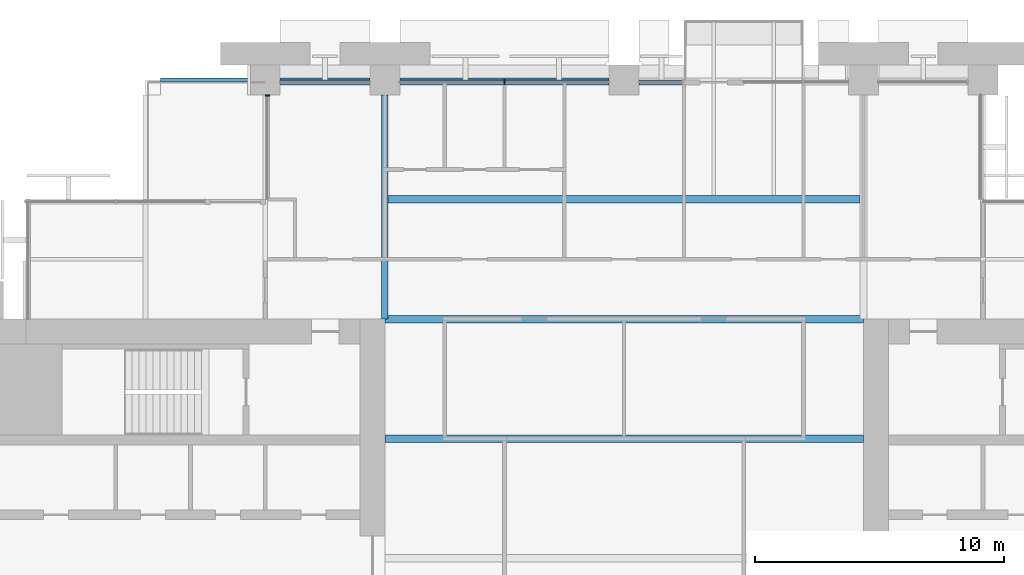
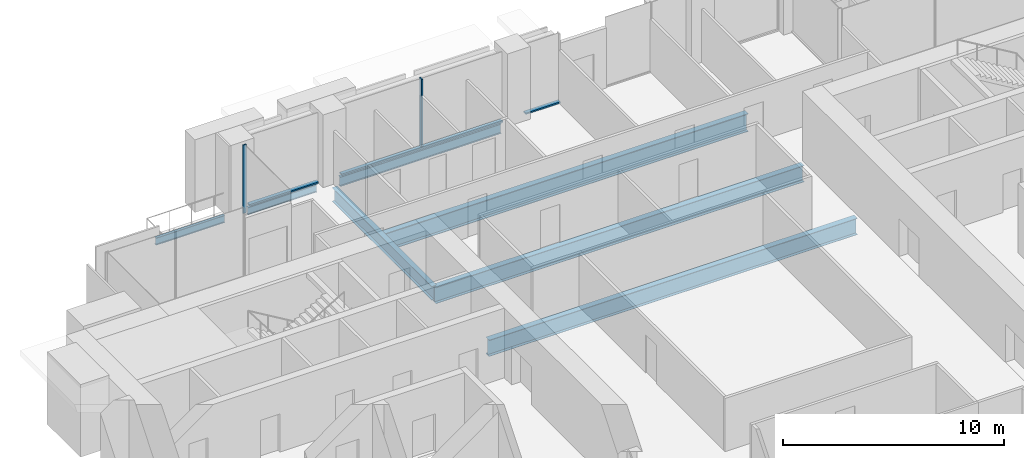
# One storey, part 6 of 15: 7 beams, 5 members, 2 elements without a shape of their own.
"""IFC4 building model written with IfcOpenShell, lengths in metres."""

from ifc_helpers import new_model, si_unit, direction, frame, origin, origin_2d, place, context, subcontext, project, spatial, rectangle, i_section, extrude, material, material_profile, profile_set, type_object, element, aggregate, save


model = new_model("IFC4")

# Units and contexts
model_context = context("Model", 3, precision=1e-05, world=origin(), true_north=direction((0.0, 1.0)))
body_context = subcontext(model_context, "Body", "Model", "MODEL_VIEW")
ifc_project = project(units=[si_unit("LENGTHUNIT", "METRE"), si_unit("AREAUNIT", "SQUARE_METRE"), si_unit("VOLUMEUNIT", "CUBIC_METRE"), si_unit("PLANEANGLEUNIT", "RADIAN"), si_unit("MASSUNIT", "GRAM", prefix="KILO")], contexts=[model_context])

# Site, building, storey
site_placement = place(None, origin())
site = spatial("IfcSite", under=ifc_project, at=site_placement, CompositionType="ELEMENT")
building_placement = place(site_placement, origin())
building = spatial("IfcBuilding", under=site, at=building_placement, Name="Baori Bourse Tower", CompositionType="ELEMENT")
storey_placement = place(building_placement, frame((0.0, 0.0, 116.10009765625)))
storey = spatial("IfcBuildingStorey", under=building, at=storey_placement, Name="L24", CompositionType="ELEMENT", Elevation=116.10009765625)

# Curtain wall, members
ifc_material_1 = material(Name="Pale anodised aluminium", Category="aluminium")
curtain_wall_type_1 = type_object("IfcCurtainWallType", Name="CW1 Curtain wall", PredefinedType="NOTDEFINED", material=ifc_material_1)
curtain_wall_1_placement = place(storey_placement, origin())
curtain_wall_1 = element("IfcCurtainWall", 1, at=curtain_wall_1_placement, inside=storey, type_object=curtain_wall_type_1, Name="Curtain wall CW1 L24 6", PredefinedType="NOTDEFINED")
ifc_material_2 = material(Name="Pale anodised aluminium", Category="aluminium")
ifc_material_profile_1 = material_profile(ifc_material_2, rectangle(XDim=0.199951171875, YDim=0.06005859375, at=origin_2d()), Name="Mullion 60x200")
ifc_profile_set_1 = profile_set([ifc_material_profile_1], Name="Pale anodised aluminium")
member_type_1 = type_object("IfcMemberType", Name="CW1 Curtain wall mullion", PredefinedType="MULLION", material=ifc_profile_set_1)
member_1_placement = place(storey_placement, frame((24.0, 47.89990234375, 0.079833984375), z_axis=(0.0, 0.0, 1.0), x_axis=(0.0, -1.0, 0.0)))
member_1 = element("IfcMember", 2, at=member_1_placement, type_object=member_type_1, Name="Curtain wall CW1 mullion", PredefinedType="MULLION", context=body_context, shape_type="SweptSolid", body=[
    extrude(rectangle(XDim=0.199951171875, YDim=0.06005859375, at=origin_2d()), origin(), (0.0, 0.0, 1.0), 3.760009765625),
])
ifc_material_3 = material(Name="Pale anodised aluminium", Category="aluminium")
ifc_material_profile_2 = material_profile(ifc_material_3, rectangle(XDim=0.199951171875, YDim=0.080078125, at=origin_2d()), Name="Transom 80x200")
ifc_profile_set_2 = profile_set([ifc_material_profile_2], Name="Pale anodised aluminium")
member_type_2 = type_object("IfcMemberType", Name="CW1 Curtain wall transom", PredefinedType="USERDEFINED", material=ifc_profile_set_2)
member_2_placement = place(storey_placement, frame((31.199951171875, 47.89990234375, 0.039794921875), z_axis=(-1.0, 0.0, 0.0), x_axis=(0.0, -1.0, 0.0)))
member_2 = element("IfcMember", 3, at=member_2_placement, type_object=member_type_2, Name="Curtain wall CW1 sill rail", ObjectType="TRANSOM", PredefinedType="USERDEFINED", context=body_context, shape_type="SweptSolid", body=[
    extrude(rectangle(XDim=0.199951171875, YDim=0.080078125, at=origin_2d()), origin(), (0.0, 0.0, 1.0), 1.800048828125),
])
member_3_placement = place(storey_placement, frame((28.199951171875, 47.89990234375, 0.039794921875), z_axis=(-1.0, 0.0, 0.0), x_axis=(0.0, -1.0, 0.0)))
member_3 = element("IfcMember", 4, at=member_3_placement, type_object=member_type_2, Name="Curtain wall CW1 sill rail", ObjectType="TRANSOM", PredefinedType="USERDEFINED", context=body_context, shape_type="SweptSolid", body=[
    extrude(rectangle(XDim=0.199951171875, YDim=0.080078125, at=origin_2d()), origin(), (0.0, 0.0, 1.0), 8.39990234375),
])
member_4_placement = place(storey_placement, frame((18.60009765625, 47.89990234375, 0.039794921875), z_axis=(-1.0, 0.0, 0.0), x_axis=(0.0, -1.0, 0.0)))
member_4 = element("IfcMember", 5, at=member_4_placement, type_object=member_type_2, Name="Curtain wall CW1 sill rail", ObjectType="TRANSOM", PredefinedType="USERDEFINED", context=body_context, shape_type="SweptSolid", body=[
    extrude(rectangle(XDim=0.199951171875, YDim=0.080078125, at=origin_2d()), origin(), (0.0, 0.0, 1.0), 3.60009765625),
])
aggregate(curtain_wall_1, [member_2, member_3, member_1, member_4])

# Curtain wall, member
ifc_material_4 = material(Name="Pale anodised aluminium", Category="aluminium")
curtain_wall_type_2 = type_object("IfcCurtainWallType", Name="CW2 Curtain wall", PredefinedType="NOTDEFINED", material=ifc_material_4)
curtain_wall_2_placement = place(storey_placement, origin())
curtain_wall_2 = element("IfcCurtainWall", 6, at=curtain_wall_2_placement, inside=storey, type_object=curtain_wall_type_2, Name="Curtain wall CW2 L24 7", PredefinedType="NOTDEFINED")
ifc_material_5 = material(Name="Pale anodised aluminium", Category="aluminium")
ifc_material_profile_3 = material_profile(ifc_material_5, rectangle(XDim=0.179931640625, YDim=0.054931640625, at=origin_2d()), Name="Mullion 55x180")
ifc_profile_set_3 = profile_set([ifc_material_profile_3], Name="Pale anodised aluminium")
member_type_3 = type_object("IfcMemberType", Name="CW2 Curtain wall mullion", PredefinedType="MULLION", material=ifc_profile_set_3)
member_5_placement = place(storey_placement, frame((14.489990234375, 47.37255859375, 0.06982421875), z_axis=(0.0, 0.0, 1.0), x_axis=(1.0, 0.0, 0.0)))
member_5 = element("IfcMember", 7, at=member_5_placement, type_object=member_type_3, Name="Curtain wall CW2 mullion", PredefinedType="MULLION", context=body_context, shape_type="SweptSolid", body=[
    extrude(rectangle(XDim=0.179931640625, YDim=0.054931640625, at=origin_2d()), origin(), (0.0, 0.0, 1.0), 3.77001953125),
])
aggregate(curtain_wall_2, [member_5])

# Beams
ifc_material_6 = material(Name="Steel A992 Gr 50", Category="steel")
ifc_material_profile_4 = material_profile(ifc_material_6, i_section(OverallWidth=0.140380859375, OverallDepth=0.40380859375, WebThickness=0.007080078125, FlangeThickness=0.01123046875, at=origin_2d()), Name="W16x31")
ifc_profile_set_4 = profile_set([ifc_material_profile_4], Name="Steel A992 Gr 50")
beam_type_1 = type_object("IfcBeamType", Name="Edge beam W16x31", PredefinedType="BEAM", material=ifc_profile_set_4)
for number, where, z_axis, x_axis, name in (
    (8, (10.199951171875, 48.0, -0.362060546875), (1.0, 0.0, 0.0), (0.0, 1.0, 0.0), "Edge beam L24"),
    (9, (15.0, 48.0, -0.362060546875), (1.0, 0.0, 0.0), (0.0, 1.0, 0.0), "Edge beam L24"),
):
    element("IfcBeam", number, at=place(storey_placement, frame(where, z_axis=z_axis, x_axis=x_axis)), inside=storey, type_object=beam_type_1, Name=name, PredefinedType="BEAM", context=body_context, shape_type="SweptSolid", body=[
        extrude(i_section(OverallWidth=0.140380859375, OverallDepth=0.40380859375, WebThickness=0.007080078125, FlangeThickness=0.01123046875, at=origin_2d()), origin(), (0.0, 0.0, 1.0), 3.60009765625),
    ])
ifc_material_7 = material(Name="Steel A992 Gr 50", Category="steel")
ifc_material_profile_5 = material_profile(ifc_material_7, i_section(OverallWidth=0.1650390625, OverallDepth=0.52587890625, WebThickness=0.0087890625, FlangeThickness=0.011474609375, at=origin_2d()), Name="W21x44")
ifc_profile_set_5 = profile_set([ifc_material_profile_5], Name="Steel A992 Gr 50")
beam_type_2 = type_object("IfcBeamType", Name="Edge beam W21x44", PredefinedType="BEAM", material=ifc_profile_set_5)
beam_1_placement = place(storey_placement, frame((19.800048828125, 48.0, -0.423095703125), z_axis=(1.0, 0.0, 0.0), x_axis=(0.0, 1.0, 0.0)))
element("IfcBeam", 10, at=beam_1_placement, inside=storey, type_object=beam_type_2, Name="Edge beam L24", PredefinedType="BEAM", context=body_context, shape_type="SweptSolid", body=[
    extrude(i_section(OverallWidth=0.1650390625, OverallDepth=0.52587890625, WebThickness=0.0087890625, FlangeThickness=0.011474609375, at=origin_2d()), origin(), (0.0, 0.0, 1.0), 8.39990234375),
])
ifc_material_8 = material(Name="Steel A992 Gr 50", Category="steel")
ifc_material_profile_6 = material_profile(ifc_material_8, i_section(OverallWidth=0.3046875, OverallDepth=0.904296875, WebThickness=0.01513671875, FlangeThickness=0.02001953125, at=origin_2d()), Name="W36x135")
ifc_profile_set_6 = profile_set([ifc_material_profile_6], Name="Steel A992 Gr 50")
beam_type_3 = type_object("IfcBeamType", Name="Floor beam W36x135", PredefinedType="BEAM", material=ifc_profile_set_6)
for number, where, z_axis, x_axis, name in (
    (11, (19.199951171875, 33.60009765625, -0.6123046875), (1.0, 0.0, 0.0), (0.0, 1.0, 0.0), "Floor beam L24"),
    (12, (19.199951171875, 38.39990234375, -0.6123046875), (1.0, 0.0, 0.0), (0.0, 1.0, 0.0), "Floor beam L24"),
):
    element("IfcBeam", number, at=place(storey_placement, frame(where, z_axis=z_axis, x_axis=x_axis)), inside=storey, type_object=beam_type_3, Name=name, PredefinedType="BEAM", context=body_context, shape_type="SweptSolid", body=[
        extrude(i_section(OverallWidth=0.3046875, OverallDepth=0.904296875, WebThickness=0.01513671875, FlangeThickness=0.02001953125, at=origin_2d()), origin(), (0.0, 0.0, 1.0), 19.199951171875),
    ])
ifc_material_9 = material(Name="Steel A992 Gr 50", Category="steel")
ifc_material_profile_7 = material_profile(ifc_material_9, i_section(OverallWidth=0.2998046875, OverallDepth=0.990478515625, WebThickness=0.0166015625, FlangeThickness=0.030517578125, at=origin_2d()), Name="W40x183")
ifc_profile_set_7 = profile_set([ifc_material_profile_7], Name="Steel A992 Gr 50")
beam_type_4 = type_object("IfcBeamType", Name="Floor beam W40x183", PredefinedType="BEAM", material=ifc_profile_set_7)
beam_2_placement = place(storey_placement, frame((19.333251953125, 43.199951171875, -0.655517578125), z_axis=(1.0, 0.0, 0.0), x_axis=(0.0, 1.0, 0.0)))
element("IfcBeam", 13, at=beam_2_placement, inside=storey, type_object=beam_type_4, Name="Floor beam L24", PredefinedType="BEAM", context=body_context, shape_type="SweptSolid", body=[
    extrude(i_section(OverallWidth=0.2998046875, OverallDepth=0.990478515625, WebThickness=0.0166015625, FlangeThickness=0.030517578125, at=origin_2d()), origin(), (0.0, 0.0, 1.0), 18.920654296875),
])
ifc_material_10 = material(Name="Steel A992 Gr 50", Category="steel")
ifc_material_profile_8 = material_profile(ifc_material_10, i_section(OverallWidth=0.2666015625, OverallDepth=0.7568359375, WebThickness=0.013916015625, FlangeThickness=0.019287109375, at=origin_2d()), Name="W30x108")
ifc_profile_set_8 = profile_set([ifc_material_profile_8], Name="Steel A992 Gr 50")
beam_type_5 = type_object("IfcBeamType", Name="Girder W30x108", PredefinedType="BEAM", material=ifc_profile_set_8)
beam_3_placement = place(storey_placement, frame((19.199951171875, 38.39990234375, -0.53857421875), z_axis=(0.0, 1.0, 0.0), x_axis=(-1.0, 0.0, 0.0)))
element("IfcBeam", 14, at=beam_3_placement, inside=storey, type_object=beam_type_5, Name="Girder L24", PredefinedType="BEAM", context=body_context, shape_type="SweptSolid", body=[
    extrude(i_section(OverallWidth=0.2666015625, OverallDepth=0.7568359375, WebThickness=0.013916015625, FlangeThickness=0.019287109375, at=origin_2d()), origin(), (0.0, 0.0, 1.0), 9.0),
])

save(model, "model.ifc")
